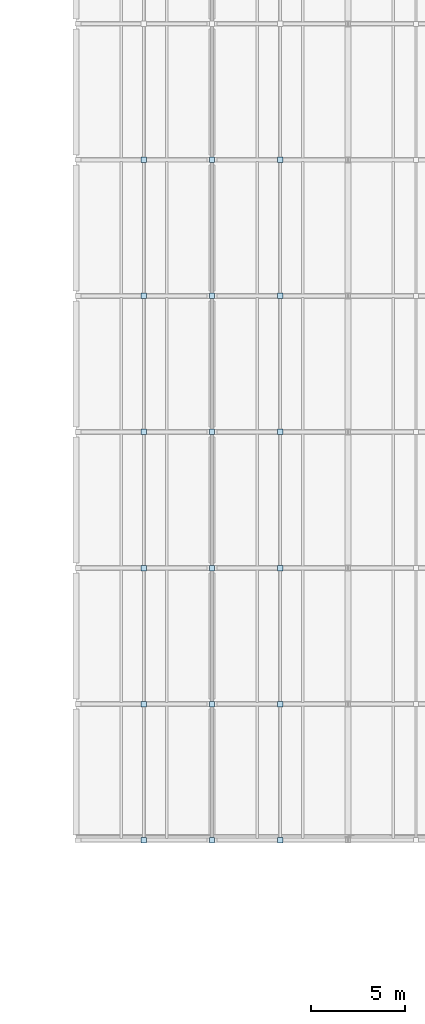
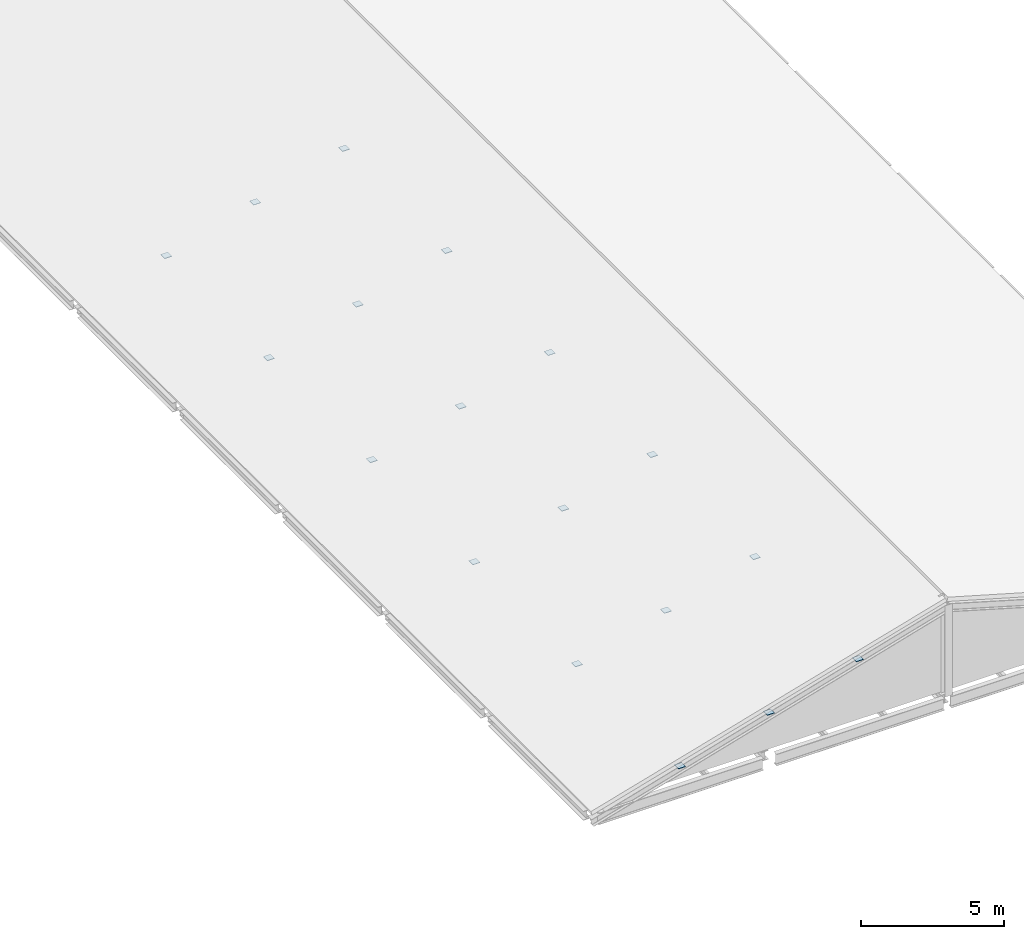
# One storey, part 20 of 32: 18 plates.
"""IFC4 building model written with IfcOpenShell, lengths in metres."""

from ifc_helpers import new_model, si_unit, direction, frame, origin, origin_2d, place, context, subcontext, project, spatial, rectangle, extrude, material, layer, layer_set, type_object, element, save


model = new_model("IFC4")

# Units and contexts
model_context = context("Model", 3, precision=1e-05, world=origin(), true_north=direction((0.0, 1.0)))
body_context = subcontext(model_context, "Body", "Model", "MODEL_VIEW")
ifc_project = project(units=[si_unit("LENGTHUNIT", "METRE"), si_unit("AREAUNIT", "SQUARE_METRE"), si_unit("VOLUMEUNIT", "CUBIC_METRE"), si_unit("PLANEANGLEUNIT", "RADIAN"), si_unit("MASSUNIT", "GRAM", prefix="KILO")], contexts=[model_context])

# Site, building, storey
site_placement = place(None, origin())
site = spatial("IfcSite", under=ifc_project, at=site_placement, CompositionType="ELEMENT")
building_placement = place(site_placement, origin())
building = spatial("IfcBuilding", under=site, at=building_placement, Name="Qiaolan Assembly House", CompositionType="ELEMENT")
storey_placement = place(building_placement, frame((0.0, 0.0, 18.60009765625)))
storey = spatial("IfcBuildingStorey", under=building, at=storey_placement, Name="L04", CompositionType="ELEMENT", Elevation=18.60009765625)

# Plates
ifc_material = material(Name="Steel Q355B", Category="steel")
ifc_layer = layer(ifc_material, 0.02001953125)
ifc_layer_set = layer_set([ifc_layer], Name="Steel Q355B")
plate_type = type_object("IfcPlateType", Name="PLT-CAP-STL-20", PredefinedType="SHEET", material=ifc_layer_set)
for number, where, z_axis, x_axis, name in (
    (1, (147.60009765625, 28.800048828125, 0.690185546875), (0.0, 0.0, 1.0), (1.0, 0.0, 0.0), "NP-04 steel hollow-section seal cap plate 247"),
    (2, (147.60009765625, 36.0, 0.690185546875), (0.0, 0.0, 1.0), (1.0, 0.0, 0.0), "NP-04 steel hollow-section seal cap plate 248"),
    (3, (147.60009765625, 43.199951171875, 0.690185546875), (0.0, 0.0, 1.0), (1.0, 0.0, 0.0), "NP-04 steel hollow-section seal cap plate 249"),
    (4, (147.60009765625, 50.39990234375, 0.690185546875), (0.0, 0.0, 1.0), (1.0, 0.0, 0.0), "NP-04 steel hollow-section seal cap plate 250"),
    (5, (147.60009765625, 57.60009765625, 0.690185546875), (0.0, 0.0, 1.0), (1.0, 0.0, 0.0), "NP-04 steel hollow-section seal cap plate 251"),
    (6, (147.60009765625, 64.800048828125, 0.690185546875), (0.0, 0.0, 1.0), (1.0, 0.0, 0.0), "NP-04 steel hollow-section seal cap plate 252"),
    (7, (151.199951171875, 28.800048828125, 1.722412109375), (0.0, 0.0, 1.0), (1.0, 0.0, 0.0), "NP-04 steel hollow-section seal cap plate 256"),
    (8, (151.199951171875, 36.0, 1.722412109375), (0.0, 0.0, 1.0), (1.0, 0.0, 0.0), "NP-04 steel hollow-section seal cap plate 257"),
    (9, (151.199951171875, 43.199951171875, 1.722412109375), (0.0, 0.0, 1.0), (1.0, 0.0, 0.0), "NP-04 steel hollow-section seal cap plate 258"),
    (10, (151.199951171875, 50.39990234375, 1.722412109375), (0.0, 0.0, 1.0), (1.0, 0.0, 0.0), "NP-04 steel hollow-section seal cap plate 259"),
    (11, (151.199951171875, 57.60009765625, 1.722412109375), (0.0, 0.0, 1.0), (1.0, 0.0, 0.0), "NP-04 steel hollow-section seal cap plate 260"),
    (12, (151.199951171875, 64.800048828125, 1.722412109375), (0.0, 0.0, 1.0), (1.0, 0.0, 0.0), "NP-04 steel hollow-section seal cap plate 261"),
    (13, (154.800048828125, 28.800048828125, 2.754638671875), (0.0, 0.0, 1.0), (1.0, 0.0, 0.0), "NP-04 steel hollow-section seal cap plate 265"),
    (14, (154.800048828125, 36.0, 2.754638671875), (0.0, 0.0, 1.0), (1.0, 0.0, 0.0), "NP-04 steel hollow-section seal cap plate 266"),
    (15, (154.800048828125, 43.199951171875, 2.754638671875), (0.0, 0.0, 1.0), (1.0, 0.0, 0.0), "NP-04 steel hollow-section seal cap plate 267"),
    (16, (154.800048828125, 50.39990234375, 2.754638671875), (0.0, 0.0, 1.0), (1.0, 0.0, 0.0), "NP-04 steel hollow-section seal cap plate 268"),
    (17, (154.800048828125, 57.60009765625, 2.754638671875), (0.0, 0.0, 1.0), (1.0, 0.0, 0.0), "NP-04 steel hollow-section seal cap plate 269"),
    (18, (154.800048828125, 64.800048828125, 2.754638671875), (0.0, 0.0, 1.0), (1.0, 0.0, 0.0), "NP-04 steel hollow-section seal cap plate 270"),
):
    element("IfcPlate", number, at=place(storey_placement, frame(where, z_axis=z_axis, x_axis=x_axis)), inside=storey, type_object=plate_type, Name=name, PredefinedType="SHEET", context=body_context, shape_type="SweptSolid", body=[
        extrude(rectangle(XDim=0.2900390625, YDim=0.2900390625, at=origin_2d()), origin(), (0.0, 0.0, 1.0), 0.02001953125),
    ])

save(model, "model.ifc")
